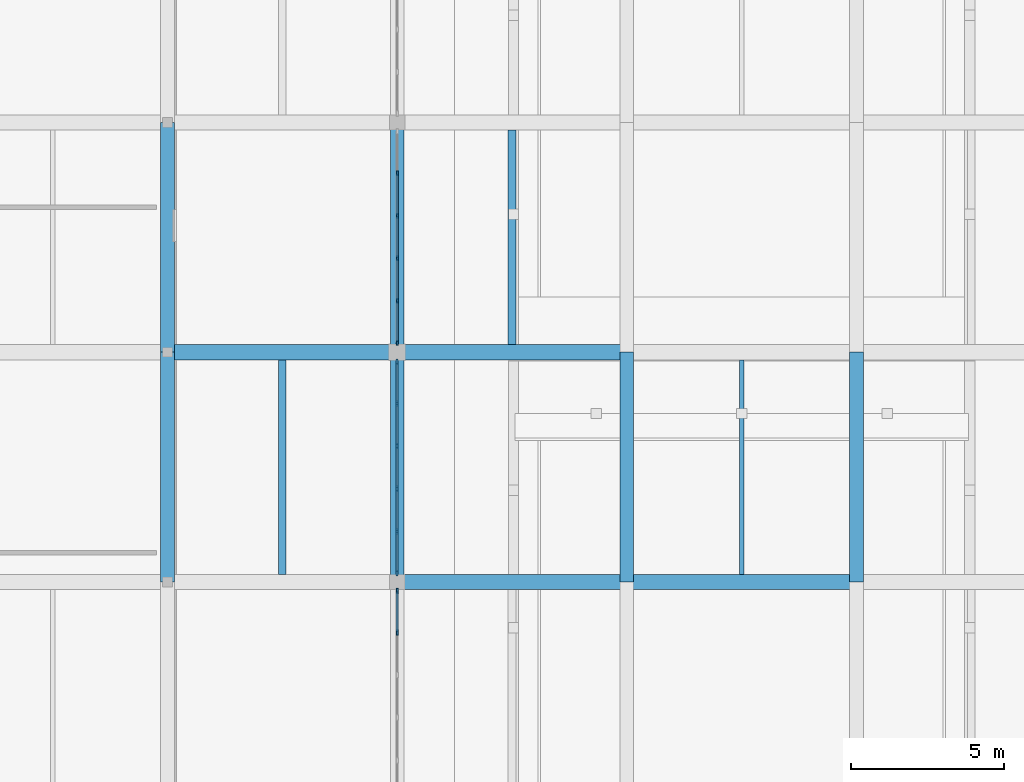
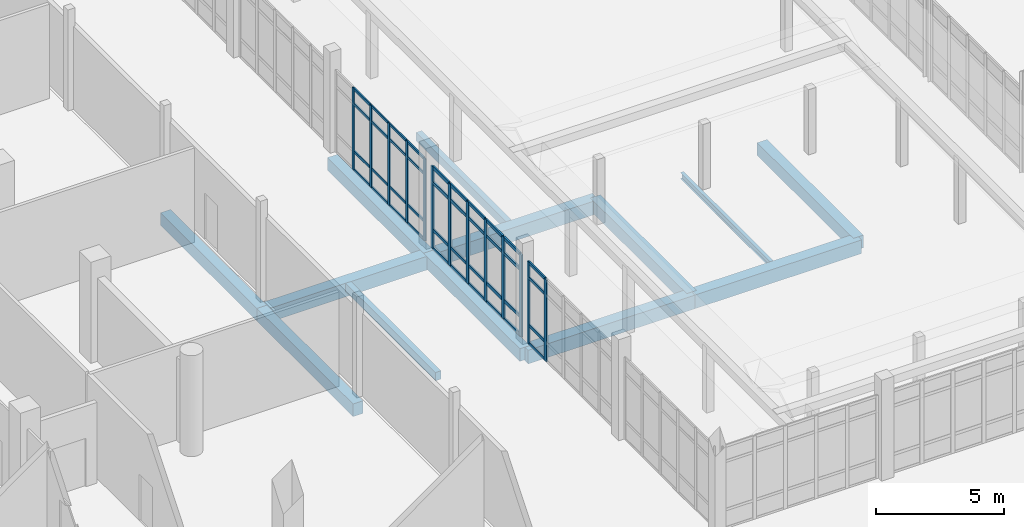
# One storey, part 27 of 125: 53 members, 13 beams, 3 elements without a shape of their own.
"""IFC4 building model written with IfcOpenShell, lengths in metres."""

from ifc_helpers import new_model, si_unit, direction, frame, origin, origin_2d, place, context, subcontext, project, spatial, rectangle, i_section, extrude, material, layer, layer_set, material_profile, profile_set, type_object, element, aggregate, save


model = new_model("IFC4")

# Units and contexts
model_context = context("Model", 3, precision=1e-05, world=origin(), true_north=direction((0.0, 1.0)))
body_context = subcontext(model_context, "Body", "Model", "MODEL_VIEW")
ifc_project = project(units=[si_unit("LENGTHUNIT", "METRE"), si_unit("AREAUNIT", "SQUARE_METRE"), si_unit("VOLUMEUNIT", "CUBIC_METRE"), si_unit("PLANEANGLEUNIT", "RADIAN"), si_unit("MASSUNIT", "GRAM", prefix="KILO")], contexts=[model_context])

# Site, building, storey
site_placement = place(None, origin())
site = spatial("IfcSite", under=ifc_project, at=site_placement, CompositionType="ELEMENT")
building_placement = place(site_placement, origin())
building = spatial("IfcBuilding", under=site, at=building_placement, Name="Dalvernix Boulevard General Hospital", CompositionType="ELEMENT")
storey_placement = place(building_placement, origin())
storey = spatial("IfcBuildingStorey", under=building, at=storey_placement, Name="L00", CompositionType="ELEMENT", Elevation=0.0)

# Beams
ifc_material_1 = material(Name="Concrete C35/45", Category="concrete")
ifc_material_profile_1 = material_profile(ifc_material_1, rectangle(XDim=0.5, YDim=0.64990234375, at=origin_2d()), Name="RCB 500x650")
ifc_profile_set_1 = profile_set([ifc_material_profile_1], Name="Concrete C35/45")
beam_type_1 = type_object("IfcBeamType", Name="BM-B-02-I", PredefinedType="BEAM", material=ifc_profile_set_1)
for number, where, z_axis, x_axis, name in (
    (1, (37.5, 46.5, -0.68505859375), (1.0, 0.0, 0.0), (0.0, 1.0, 0.0), "L00 E-W girder G:6-7"),
    (2, (45.0, 46.5, -0.68505859375), (1.0, 0.0, 0.0), (0.0, 1.0, 0.0), "L00 E-W girder G:7-8"),
    (3, (30.0, 54.0, -0.68505859375), (1.0, 0.0, 0.0), (0.0, 1.0, 0.0), "L00 E-W girder H:5-6"),
    (4, (37.5, 54.0, -0.68505859375), (1.0, 0.0, 0.0), (0.0, 1.0, 0.0), "L00 E-W girder H:6-7"),
):
    element("IfcBeam", number, at=place(storey_placement, frame(where, z_axis=z_axis, x_axis=x_axis)), inside=storey, type_object=beam_type_1, Name=name, PredefinedType="BEAM", context=body_context, shape_type="SweptSolid", body=[
        extrude(rectangle(XDim=0.5, YDim=0.64990234375, at=origin_2d()), origin(), (0.0, 0.0, 1.0), 7.5),
    ])
ifc_material_profile_2 = material_profile(ifc_material_1, rectangle(XDim=0.449951171875, YDim=0.60009765625, at=origin_2d()), Name="RCB 450x600")
ifc_profile_set_2 = profile_set([ifc_material_profile_2], Name="Concrete C35/45")
beam_type_2 = type_object("IfcBeamType", Name="BM-B-04-I", PredefinedType="BEAM", material=ifc_profile_set_2)
for number, where, z_axis, x_axis, name in (
    (5, (30.0, 46.5, -0.659912109375), (0.0, 1.0, 0.0), (-1.0, 0.0, 0.0), "L00 N-S girder 5:G-H"),
    (6, (30.0, 54.0, -0.659912109375), (0.0, 1.0, 0.0), (-1.0, 0.0, 0.0), "L00 N-S girder 5:H-J"),
    (7, (37.5, 46.5, -0.659912109375), (0.0, 1.0, 0.0), (-1.0, 0.0, 0.0), "L00 N-S girder 6:G-H"),
    (8, (37.5, 54.0, -0.659912109375), (0.0, 1.0, 0.0), (-1.0, 0.0, 0.0), "L00 N-S girder 6:H-J"),
    (9, (45.0, 46.5, -0.659912109375), (0.0, 1.0, 0.0), (-1.0, 0.0, 0.0), "L00 N-S girder 7:G-H"),
    (10, (52.5, 46.5, -0.659912109375), (0.0, 1.0, 0.0), (-1.0, 0.0, 0.0), "L00 N-S girder 8:G-H"),
):
    element("IfcBeam", number, at=place(storey_placement, frame(where, z_axis=z_axis, x_axis=x_axis)), inside=storey, type_object=beam_type_2, Name=name, PredefinedType="BEAM", context=body_context, shape_type="SweptSolid", body=[
        extrude(rectangle(XDim=0.449951171875, YDim=0.60009765625, at=origin_2d()), origin(), (0.0, 0.0, 1.0), 7.5),
    ])
ifc_material_profile_3 = material_profile(ifc_material_1, rectangle(XDim=0.25, YDim=0.39990234375, at=origin_2d()), Name="RCB 250x400")
ifc_profile_set_3 = profile_set([ifc_material_profile_3], Name="Concrete C35/45")
beam_type_3 = type_object("IfcBeamType", Name="BM-JB-02", PredefinedType="JOIST", material=ifc_profile_set_3)
for number, where, z_axis, x_axis, name in (
    (11, (33.75, 46.75, -0.56005859375), (0.0, 1.0, 0.0), (-1.0, 0.0, 0.0), "L00 secondary floor beam 5-G"),
    (12, (41.25, 54.25, -0.56005859375), (0.0, 1.0, 0.0), (-1.0, 0.0, 0.0), "L00 secondary floor beam 6-H"),
):
    element("IfcBeam", number, at=place(storey_placement, frame(where, z_axis=z_axis, x_axis=x_axis)), inside=storey, type_object=beam_type_3, Name=name, PredefinedType="JOIST", context=body_context, shape_type="SweptSolid", body=[
        extrude(rectangle(XDim=0.25, YDim=0.39990234375, at=origin_2d()), origin(), (0.0, 0.0, 1.0), 7.0),
    ])
ifc_material_2 = material(Name="Steel S355", Category="steel")
ifc_material_profile_4 = material_profile(ifc_material_2, i_section(OverallWidth=0.14990234375, OverallDepth=0.300048828125, WebThickness=0.007080078125, FlangeThickness=0.0107421875, FilletRadius=0.014892578125, at=origin_2d()), Name="IPE 300")
ifc_profile_set_4 = profile_set([ifc_material_profile_4], Name="Steel S355")
beam_type_4 = type_object("IfcBeamType", Name="BM-JB-03", PredefinedType="JOIST", material=ifc_profile_set_4)
beam_placement = place(storey_placement, frame((48.75, 46.75, -0.510009765625), z_axis=(0.0, 1.0, 0.0), x_axis=(-1.0, 0.0, 0.0)))
element("IfcBeam", 13, at=beam_placement, inside=storey, type_object=beam_type_4, Name="L00 secondary floor beam 7-G", PredefinedType="JOIST", context=body_context, shape_type="SweptSolid", body=[
    extrude(i_section(OverallWidth=0.14990234375, OverallDepth=0.300048828125, WebThickness=0.007080078125, FlangeThickness=0.0107421875, FilletRadius=0.014892578125, at=origin_2d()), origin(), (0.0, 0.0, 1.0), 7.0),
])

# Curtain wall, members
ifc_material_3 = material(Name="Thermally broken aluminium and solar-control glass curtain wall", Category="aluminium")
ifc_layer_1 = layer(ifc_material_3, 0.159912109375)
ifc_layer_set_1 = layer_set([ifc_layer_1], Name="Thermally broken aluminium and solar-control glass curtain wall (CW-CW-A-70x39)")
curtain_wall_type_1 = type_object("IfcCurtainWallType", Name="CW-CW-A-70x39", PredefinedType="USERDEFINED", material=ifc_layer_set_1)
curtain_wall_1_placement = place(storey_placement, origin())
curtain_wall_1 = element("IfcCurtainWall", 14, at=curtain_wall_1_placement, inside=storey, type_object=curtain_wall_type_1, Name="L00 curtain wall CW-A-70x39 5-7", ObjectType="GLAZED FACADE", PredefinedType="USERDEFINED")
ifc_material_4 = material(Name="Aluminium EN AW-6060", Category="aluminium")
ifc_material_profile_5 = material_profile(ifc_material_4, rectangle(XDim=0.06005859375, YDim=0.159912109375, at=origin_2d()), Name="ALU MULL 60x160")
ifc_profile_set_5 = profile_set([ifc_material_profile_5], Name="Aluminium EN AW-6060")
member_type_1 = type_object("IfcMemberType", Name="MEM-CW-M1", PredefinedType="MULLION", material=ifc_profile_set_5)
member_1_placement = place(storey_placement, frame((37.5, 59.84912109375, 0.0), z_axis=(0.0, 0.0, 1.0), x_axis=(1.0, 0.0, 0.0)))
member_1 = element("IfcMember", 15, at=member_1_placement, type_object=member_type_1, Name="CW-A-70x39 mullion 2", PredefinedType="MULLION", context=body_context, shape_type="SweptSolid", body=[
    extrude(rectangle(XDim=0.06005859375, YDim=0.159912109375, at=origin_2d()), origin(), (0.0, 0.0, 1.0), 3.89990234375),
])
member_2_placement = place(storey_placement, frame((37.5, 58.4580078125, 0.0), z_axis=(0.0, 0.0, 1.0), x_axis=(1.0, 0.0, 0.0)))
member_2 = element("IfcMember", 16, at=member_2_placement, type_object=member_type_1, Name="CW-A-70x39 mullion 3", PredefinedType="MULLION", context=body_context, shape_type="SweptSolid", body=[
    extrude(rectangle(XDim=0.06005859375, YDim=0.159912109375, at=origin_2d()), origin(), (0.0, 0.0, 1.0), 3.89990234375),
])
member_3_placement = place(storey_placement, frame((37.5, 57.06689453125, 0.0), z_axis=(0.0, 0.0, 1.0), x_axis=(1.0, 0.0, 0.0)))
member_3 = element("IfcMember", 17, at=member_3_placement, type_object=member_type_1, Name="CW-A-70x39 mullion 4", PredefinedType="MULLION", context=body_context, shape_type="SweptSolid", body=[
    extrude(rectangle(XDim=0.06005859375, YDim=0.159912109375, at=origin_2d()), origin(), (0.0, 0.0, 1.0), 3.89990234375),
])
member_4_placement = place(storey_placement, frame((37.5, 55.676025390625, 0.0), z_axis=(0.0, 0.0, 1.0), x_axis=(1.0, 0.0, 0.0)))
member_4 = element("IfcMember", 18, at=member_4_placement, type_object=member_type_1, Name="CW-A-70x39 mullion 5", PredefinedType="MULLION", context=body_context, shape_type="SweptSolid", body=[
    extrude(rectangle(XDim=0.06005859375, YDim=0.159912109375, at=origin_2d()), origin(), (0.0, 0.0, 1.0), 3.89990234375),
])
member_5_placement = place(storey_placement, frame((37.5, 54.31494140625, 0.0), z_axis=(0.0, 0.0, 1.0), x_axis=(1.0, 0.0, 0.0)))
member_5 = element("IfcMember", 19, at=member_5_placement, type_object=member_type_1, Name="CW-A-70x39 mullion 6", PredefinedType="MULLION", context=body_context, shape_type="SweptSolid", body=[
    extrude(rectangle(XDim=0.06005859375, YDim=0.159912109375, at=origin_2d()), origin(), (0.0, 0.0, 1.0), 3.89990234375),
])

ifc_layer_2 = layer(ifc_material_3, 0.179931640625)
ifc_layer_set_2 = layer_set([ifc_layer_2], Name="Thermally broken aluminium and solar-control glass curtain wall (CW-CW-B-70x39)")
curtain_wall_type_2 = type_object("IfcCurtainWallType", Name="CW-CW-B-70x39", PredefinedType="USERDEFINED", material=ifc_layer_set_2)
curtain_wall_2_placement = place(storey_placement, origin())
curtain_wall_2 = element("IfcCurtainWall", 20, at=curtain_wall_2_placement, inside=storey, type_object=curtain_wall_type_2, Name="L00 curtain wall CW-B-70x39 5-5", ObjectType="GLAZED FACADE", PredefinedType="USERDEFINED")
ifc_material_profile_6 = material_profile(ifc_material_4, rectangle(XDim=0.06494140625, YDim=0.179931640625, at=origin_2d()), Name="ALU MULL 65x180")
ifc_profile_set_6 = profile_set([ifc_material_profile_6], Name="Aluminium EN AW-6060")
member_type_2 = type_object("IfcMemberType", Name="MEM-CW-M2", PredefinedType="MULLION", material=ifc_profile_set_6)
member_6_placement = place(storey_placement, frame((37.5, 46.20751953125, 0.0), z_axis=(0.0, 0.0, 1.0), x_axis=(1.0, 0.0, 0.0)))
member_6 = element("IfcMember", 21, at=member_6_placement, type_object=member_type_2, Name="CW-B-70x39 mullion 1", PredefinedType="MULLION", context=body_context, shape_type="SweptSolid", body=[
    extrude(rectangle(XDim=0.06494140625, YDim=0.179931640625, at=origin_2d()), origin(), (0.0, 0.0, 1.0), 3.89990234375),
])
member_7_placement = place(storey_placement, frame((37.5, 44.84912109375, 0.0), z_axis=(0.0, 0.0, 1.0), x_axis=(1.0, 0.0, 0.0)))
member_7 = element("IfcMember", 22, at=member_7_placement, type_object=member_type_2, Name="CW-B-70x39 mullion 2", PredefinedType="MULLION", context=body_context, shape_type="SweptSolid", body=[
    extrude(rectangle(XDim=0.06494140625, YDim=0.179931640625, at=origin_2d()), origin(), (0.0, 0.0, 1.0), 3.89990234375),
])

ifc_layer_3 = layer(ifc_material_3, 0.199951171875)
ifc_layer_set_3 = layer_set([ifc_layer_3], Name="Thermally broken aluminium and solar-control glass curtain wall (CW-CW-C-70x39)")
curtain_wall_type_3 = type_object("IfcCurtainWallType", Name="CW-CW-C-70x39", PredefinedType="USERDEFINED", material=ifc_layer_set_3)
curtain_wall_3_placement = place(storey_placement, origin())
curtain_wall_3 = element("IfcCurtainWall", 23, at=curtain_wall_3_placement, inside=storey, type_object=curtain_wall_type_3, Name="L00 curtain wall CW-C-70x39 5-6", ObjectType="GLAZED FACADE", PredefinedType="USERDEFINED")
ifc_material_profile_7 = material_profile(ifc_material_4, rectangle(XDim=0.070068359375, YDim=0.199951171875, at=origin_2d()), Name="ALU MULL 70x200")
ifc_profile_set_7 = profile_set([ifc_material_profile_7], Name="Aluminium EN AW-6060")
member_type_3 = type_object("IfcMemberType", Name="MEM-CW-M3", PredefinedType="MULLION", material=ifc_profile_set_7)
member_8_placement = place(storey_placement, frame((37.5, 53.679931640625, 0.0), z_axis=(0.0, 0.0, 1.0), x_axis=(1.0, 0.0, 0.0)))
member_8 = element("IfcMember", 24, at=member_8_placement, type_object=member_type_3, Name="CW-C-70x39 mullion 1", PredefinedType="MULLION", context=body_context, shape_type="SweptSolid", body=[
    extrude(rectangle(XDim=0.070068359375, YDim=0.199951171875, at=origin_2d()), origin(), (0.0, 0.0, 1.0), 3.89990234375),
])
member_9_placement = place(storey_placement, frame((37.5, 52.323974609375, 0.0), z_axis=(0.0, 0.0, 1.0), x_axis=(1.0, 0.0, 0.0)))
member_9 = element("IfcMember", 25, at=member_9_placement, type_object=member_type_3, Name="CW-C-70x39 mullion 2", PredefinedType="MULLION", context=body_context, shape_type="SweptSolid", body=[
    extrude(rectangle(XDim=0.070068359375, YDim=0.199951171875, at=origin_2d()), origin(), (0.0, 0.0, 1.0), 3.89990234375),
])
member_10_placement = place(storey_placement, frame((37.5, 50.93310546875, 0.0), z_axis=(0.0, 0.0, 1.0), x_axis=(1.0, 0.0, 0.0)))
member_10 = element("IfcMember", 26, at=member_10_placement, type_object=member_type_3, Name="CW-C-70x39 mullion 3", PredefinedType="MULLION", context=body_context, shape_type="SweptSolid", body=[
    extrude(rectangle(XDim=0.070068359375, YDim=0.199951171875, at=origin_2d()), origin(), (0.0, 0.0, 1.0), 3.89990234375),
])
member_11_placement = place(storey_placement, frame((37.5, 49.5419921875, 0.0), z_axis=(0.0, 0.0, 1.0), x_axis=(1.0, 0.0, 0.0)))
member_11 = element("IfcMember", 27, at=member_11_placement, type_object=member_type_3, Name="CW-C-70x39 mullion 4", PredefinedType="MULLION", context=body_context, shape_type="SweptSolid", body=[
    extrude(rectangle(XDim=0.070068359375, YDim=0.199951171875, at=origin_2d()), origin(), (0.0, 0.0, 1.0), 3.89990234375),
])
member_12_placement = place(storey_placement, frame((37.5, 48.15087890625, 0.0), z_axis=(0.0, 0.0, 1.0), x_axis=(1.0, 0.0, 0.0)))
member_12 = element("IfcMember", 28, at=member_12_placement, type_object=member_type_3, Name="CW-C-70x39 mullion 5", PredefinedType="MULLION", context=body_context, shape_type="SweptSolid", body=[
    extrude(rectangle(XDim=0.070068359375, YDim=0.199951171875, at=origin_2d()), origin(), (0.0, 0.0, 1.0), 3.89990234375),
])
member_13_placement = place(storey_placement, frame((37.5, 46.794921875, 0.0), z_axis=(0.0, 0.0, 1.0), x_axis=(1.0, 0.0, 0.0)))
member_13 = element("IfcMember", 29, at=member_13_placement, type_object=member_type_3, Name="CW-C-70x39 mullion 6", PredefinedType="MULLION", context=body_context, shape_type="SweptSolid", body=[
    extrude(rectangle(XDim=0.070068359375, YDim=0.199951171875, at=origin_2d()), origin(), (0.0, 0.0, 1.0), 3.89990234375),
])

# Member
ifc_material_profile_8 = material_profile(ifc_material_4, rectangle(XDim=0.06005859375, YDim=0.1201171875, at=origin_2d()), Name="ALU TRAN 60x120")
ifc_profile_set_8 = profile_set([ifc_material_profile_8], Name="Aluminium EN AW-6060")
member_type_4 = type_object("IfcMemberType", Name="MEM-CW-T1", PredefinedType="USERDEFINED", material=ifc_profile_set_8)
member_14_placement = place(storey_placement, frame((37.5, 59.819091796875, 0.030029296875), z_axis=(0.0, -1.0, 0.0), x_axis=(1.0, 0.0, 0.0)))
member_14 = element("IfcMember", 30, at=member_14_placement, type_object=member_type_4, Name="CW-A-70x39 transom 2.1", ObjectType="TRANSOM", PredefinedType="USERDEFINED", context=body_context, shape_type="SweptSolid", body=[
    extrude(rectangle(XDim=0.06005859375, YDim=0.1201171875, at=origin_2d()), origin(), (0.0, 0.0, 1.0), 1.3310546875),
])

member_15_placement = place(storey_placement, frame((37.5, 59.819091796875, 0.89990234375), z_axis=(0.0, -1.0, 0.0), x_axis=(1.0, 0.0, 0.0)))
member_15 = element("IfcMember", 31, at=member_15_placement, type_object=member_type_4, Name="CW-A-70x39 transom 2.2", ObjectType="TRANSOM", PredefinedType="USERDEFINED", context=body_context, shape_type="SweptSolid", body=[
    extrude(rectangle(XDim=0.06005859375, YDim=0.1201171875, at=origin_2d()), origin(), (0.0, 0.0, 1.0), 1.3310546875),
])

member_16_placement = place(storey_placement, frame((37.5, 59.819091796875, 3.14990234375), z_axis=(0.0, -1.0, 0.0), x_axis=(1.0, 0.0, 0.0)))
member_16 = element("IfcMember", 32, at=member_16_placement, type_object=member_type_4, Name="CW-A-70x39 transom 2.3", ObjectType="TRANSOM", PredefinedType="USERDEFINED", context=body_context, shape_type="SweptSolid", body=[
    extrude(rectangle(XDim=0.06005859375, YDim=0.1201171875, at=origin_2d()), origin(), (0.0, 0.0, 1.0), 1.3310546875),
])

member_17_placement = place(storey_placement, frame((37.5, 59.819091796875, 3.8701171875), z_axis=(0.0, -1.0, 0.0), x_axis=(1.0, 0.0, 0.0)))
member_17 = element("IfcMember", 33, at=member_17_placement, type_object=member_type_4, Name="CW-A-70x39 transom 2.4", ObjectType="TRANSOM", PredefinedType="USERDEFINED", context=body_context, shape_type="SweptSolid", body=[
    extrude(rectangle(XDim=0.06005859375, YDim=0.1201171875, at=origin_2d()), origin(), (0.0, 0.0, 1.0), 1.3310546875),
])

member_18_placement = place(storey_placement, frame((37.5, 58.427978515625, 0.030029296875), z_axis=(0.0, -1.0, 0.0), x_axis=(1.0, 0.0, 0.0)))
member_18 = element("IfcMember", 34, at=member_18_placement, type_object=member_type_4, Name="CW-A-70x39 transom 3.1", ObjectType="TRANSOM", PredefinedType="USERDEFINED", context=body_context, shape_type="SweptSolid", body=[
    extrude(rectangle(XDim=0.06005859375, YDim=0.1201171875, at=origin_2d()), origin(), (0.0, 0.0, 1.0), 1.3310546875),
])

member_19_placement = place(storey_placement, frame((37.5, 58.427978515625, 0.89990234375), z_axis=(0.0, -1.0, 0.0), x_axis=(1.0, 0.0, 0.0)))
member_19 = element("IfcMember", 35, at=member_19_placement, type_object=member_type_4, Name="CW-A-70x39 transom 3.2", ObjectType="TRANSOM", PredefinedType="USERDEFINED", context=body_context, shape_type="SweptSolid", body=[
    extrude(rectangle(XDim=0.06005859375, YDim=0.1201171875, at=origin_2d()), origin(), (0.0, 0.0, 1.0), 1.3310546875),
])

member_20_placement = place(storey_placement, frame((37.5, 58.427978515625, 3.14990234375), z_axis=(0.0, -1.0, 0.0), x_axis=(1.0, 0.0, 0.0)))
member_20 = element("IfcMember", 36, at=member_20_placement, type_object=member_type_4, Name="CW-A-70x39 transom 3.3", ObjectType="TRANSOM", PredefinedType="USERDEFINED", context=body_context, shape_type="SweptSolid", body=[
    extrude(rectangle(XDim=0.06005859375, YDim=0.1201171875, at=origin_2d()), origin(), (0.0, 0.0, 1.0), 1.3310546875),
])

member_21_placement = place(storey_placement, frame((37.5, 58.427978515625, 3.8701171875), z_axis=(0.0, -1.0, 0.0), x_axis=(1.0, 0.0, 0.0)))
member_21 = element("IfcMember", 37, at=member_21_placement, type_object=member_type_4, Name="CW-A-70x39 transom 3.4", ObjectType="TRANSOM", PredefinedType="USERDEFINED", context=body_context, shape_type="SweptSolid", body=[
    extrude(rectangle(XDim=0.06005859375, YDim=0.1201171875, at=origin_2d()), origin(), (0.0, 0.0, 1.0), 1.3310546875),
])

member_22_placement = place(storey_placement, frame((37.5, 57.037109375, 0.030029296875), z_axis=(0.0, -1.0, 0.0), x_axis=(1.0, 0.0, 0.0)))
member_22 = element("IfcMember", 38, at=member_22_placement, type_object=member_type_4, Name="CW-A-70x39 transom 4.1", ObjectType="TRANSOM", PredefinedType="USERDEFINED", context=body_context, shape_type="SweptSolid", body=[
    extrude(rectangle(XDim=0.06005859375, YDim=0.1201171875, at=origin_2d()), origin(), (0.0, 0.0, 1.0), 1.3310546875),
])

member_23_placement = place(storey_placement, frame((37.5, 57.037109375, 0.89990234375), z_axis=(0.0, -1.0, 0.0), x_axis=(1.0, 0.0, 0.0)))
member_23 = element("IfcMember", 39, at=member_23_placement, type_object=member_type_4, Name="CW-A-70x39 transom 4.2", ObjectType="TRANSOM", PredefinedType="USERDEFINED", context=body_context, shape_type="SweptSolid", body=[
    extrude(rectangle(XDim=0.06005859375, YDim=0.1201171875, at=origin_2d()), origin(), (0.0, 0.0, 1.0), 1.3310546875),
])

member_24_placement = place(storey_placement, frame((37.5, 57.037109375, 3.14990234375), z_axis=(0.0, -1.0, 0.0), x_axis=(1.0, 0.0, 0.0)))
member_24 = element("IfcMember", 40, at=member_24_placement, type_object=member_type_4, Name="CW-A-70x39 transom 4.3", ObjectType="TRANSOM", PredefinedType="USERDEFINED", context=body_context, shape_type="SweptSolid", body=[
    extrude(rectangle(XDim=0.06005859375, YDim=0.1201171875, at=origin_2d()), origin(), (0.0, 0.0, 1.0), 1.3310546875),
])

member_25_placement = place(storey_placement, frame((37.5, 57.037109375, 3.8701171875), z_axis=(0.0, -1.0, 0.0), x_axis=(1.0, 0.0, 0.0)))
member_25 = element("IfcMember", 41, at=member_25_placement, type_object=member_type_4, Name="CW-A-70x39 transom 4.4", ObjectType="TRANSOM", PredefinedType="USERDEFINED", context=body_context, shape_type="SweptSolid", body=[
    extrude(rectangle(XDim=0.06005859375, YDim=0.1201171875, at=origin_2d()), origin(), (0.0, 0.0, 1.0), 1.3310546875),
])

member_26_placement = place(storey_placement, frame((37.5, 55.64599609375, 0.030029296875), z_axis=(0.0, -1.0, 0.0), x_axis=(1.0, 0.0, 0.0)))
member_26 = element("IfcMember", 42, at=member_26_placement, type_object=member_type_4, Name="CW-A-70x39 transom 5.1", ObjectType="TRANSOM", PredefinedType="USERDEFINED", context=body_context, shape_type="SweptSolid", body=[
    extrude(rectangle(XDim=0.06005859375, YDim=0.1201171875, at=origin_2d()), origin(), (0.0, 0.0, 1.0), 1.301025390625),
])

member_27_placement = place(storey_placement, frame((37.5, 55.64599609375, 0.89990234375), z_axis=(0.0, -1.0, 0.0), x_axis=(1.0, 0.0, 0.0)))
member_27 = element("IfcMember", 43, at=member_27_placement, type_object=member_type_4, Name="CW-A-70x39 transom 5.2", ObjectType="TRANSOM", PredefinedType="USERDEFINED", context=body_context, shape_type="SweptSolid", body=[
    extrude(rectangle(XDim=0.06005859375, YDim=0.1201171875, at=origin_2d()), origin(), (0.0, 0.0, 1.0), 1.301025390625),
])

member_28_placement = place(storey_placement, frame((37.5, 55.64599609375, 3.14990234375), z_axis=(0.0, -1.0, 0.0), x_axis=(1.0, 0.0, 0.0)))
member_28 = element("IfcMember", 44, at=member_28_placement, type_object=member_type_4, Name="CW-A-70x39 transom 5.3", ObjectType="TRANSOM", PredefinedType="USERDEFINED", context=body_context, shape_type="SweptSolid", body=[
    extrude(rectangle(XDim=0.06005859375, YDim=0.1201171875, at=origin_2d()), origin(), (0.0, 0.0, 1.0), 1.301025390625),
])

member_29_placement = place(storey_placement, frame((37.5, 55.64599609375, 3.8701171875), z_axis=(0.0, -1.0, 0.0), x_axis=(1.0, 0.0, 0.0)))
member_29 = element("IfcMember", 45, at=member_29_placement, type_object=member_type_4, Name="CW-A-70x39 transom 5.4", ObjectType="TRANSOM", PredefinedType="USERDEFINED", context=body_context, shape_type="SweptSolid", body=[
    extrude(rectangle(XDim=0.06005859375, YDim=0.1201171875, at=origin_2d()), origin(), (0.0, 0.0, 1.0), 1.301025390625),
])

aggregate(curtain_wall_1, [member_1, member_2, member_3, member_4, member_5, member_14, member_15, member_16, member_17, member_18, member_19, member_20, member_21, member_22, member_23, member_24, member_25, member_26, member_27, member_28, member_29])

ifc_material_profile_9 = material_profile(ifc_material_4, rectangle(XDim=0.06494140625, YDim=0.139892578125, at=origin_2d()), Name="ALU TRAN 65x140")
ifc_profile_set_9 = profile_set([ifc_material_profile_9], Name="Aluminium EN AW-6060")
member_type_5 = type_object("IfcMemberType", Name="MEM-CW-T2", PredefinedType="USERDEFINED", material=ifc_profile_set_9)
member_30_placement = place(storey_placement, frame((37.5, 46.175048828125, 0.032470703125), z_axis=(0.0, -1.0, 0.0), x_axis=(1.0, 0.0, 0.0)))
member_30 = element("IfcMember", 46, at=member_30_placement, type_object=member_type_5, Name="CW-B-70x39 transom 1.1", ObjectType="TRANSOM", PredefinedType="USERDEFINED", context=body_context, shape_type="SweptSolid", body=[
    extrude(rectangle(XDim=0.06494140625, YDim=0.139892578125, at=origin_2d()), origin(), (0.0, 0.0, 1.0), 1.29345703125),
])

member_31_placement = place(storey_placement, frame((37.5, 46.175048828125, 0.89990234375), z_axis=(0.0, -1.0, 0.0), x_axis=(1.0, 0.0, 0.0)))
member_31 = element("IfcMember", 47, at=member_31_placement, type_object=member_type_5, Name="CW-B-70x39 transom 1.2", ObjectType="TRANSOM", PredefinedType="USERDEFINED", context=body_context, shape_type="SweptSolid", body=[
    extrude(rectangle(XDim=0.06494140625, YDim=0.139892578125, at=origin_2d()), origin(), (0.0, 0.0, 1.0), 1.29345703125),
])

member_32_placement = place(storey_placement, frame((37.5, 46.175048828125, 3.14990234375), z_axis=(0.0, -1.0, 0.0), x_axis=(1.0, 0.0, 0.0)))
member_32 = element("IfcMember", 48, at=member_32_placement, type_object=member_type_5, Name="CW-B-70x39 transom 1.3", ObjectType="TRANSOM", PredefinedType="USERDEFINED", context=body_context, shape_type="SweptSolid", body=[
    extrude(rectangle(XDim=0.06494140625, YDim=0.139892578125, at=origin_2d()), origin(), (0.0, 0.0, 1.0), 1.29345703125),
])

member_33_placement = place(storey_placement, frame((37.5, 46.175048828125, 3.867431640625), z_axis=(0.0, -1.0, 0.0), x_axis=(1.0, 0.0, 0.0)))
member_33 = element("IfcMember", 49, at=member_33_placement, type_object=member_type_5, Name="CW-B-70x39 transom 1.4", ObjectType="TRANSOM", PredefinedType="USERDEFINED", context=body_context, shape_type="SweptSolid", body=[
    extrude(rectangle(XDim=0.06494140625, YDim=0.139892578125, at=origin_2d()), origin(), (0.0, 0.0, 1.0), 1.29345703125),
])

aggregate(curtain_wall_2, [member_6, member_7, member_30, member_31, member_32, member_33])

ifc_material_profile_10 = material_profile(ifc_material_4, rectangle(XDim=0.070068359375, YDim=0.14990234375, at=origin_2d()), Name="ALU TRAN 70x150")
ifc_profile_set_10 = profile_set([ifc_material_profile_10], Name="Aluminium EN AW-6060")
member_type_6 = type_object("IfcMemberType", Name="MEM-CW-T3", PredefinedType="USERDEFINED", material=ifc_profile_set_10)
member_34_placement = place(storey_placement, frame((37.5, 53.64501953125, 0.034912109375), z_axis=(0.0, -1.0, 0.0), x_axis=(1.0, 0.0, 0.0)))
member_34 = element("IfcMember", 50, at=member_34_placement, type_object=member_type_6, Name="CW-C-70x39 transom 1.1", ObjectType="TRANSOM", PredefinedType="USERDEFINED", context=body_context, shape_type="SweptSolid", body=[
    extrude(rectangle(XDim=0.070068359375, YDim=0.14990234375, at=origin_2d()), origin(), (0.0, 0.0, 1.0), 1.2861328125),
])

member_35_placement = place(storey_placement, frame((37.5, 53.64501953125, 0.89990234375), z_axis=(0.0, -1.0, 0.0), x_axis=(1.0, 0.0, 0.0)))
member_35 = element("IfcMember", 51, at=member_35_placement, type_object=member_type_6, Name="CW-C-70x39 transom 1.2", ObjectType="TRANSOM", PredefinedType="USERDEFINED", context=body_context, shape_type="SweptSolid", body=[
    extrude(rectangle(XDim=0.070068359375, YDim=0.14990234375, at=origin_2d()), origin(), (0.0, 0.0, 1.0), 1.2861328125),
])

member_36_placement = place(storey_placement, frame((37.5, 53.64501953125, 3.14990234375), z_axis=(0.0, -1.0, 0.0), x_axis=(1.0, 0.0, 0.0)))
member_36 = element("IfcMember", 52, at=member_36_placement, type_object=member_type_6, Name="CW-C-70x39 transom 1.3", ObjectType="TRANSOM", PredefinedType="USERDEFINED", context=body_context, shape_type="SweptSolid", body=[
    extrude(rectangle(XDim=0.070068359375, YDim=0.14990234375, at=origin_2d()), origin(), (0.0, 0.0, 1.0), 1.2861328125),
])

member_37_placement = place(storey_placement, frame((37.5, 53.64501953125, 3.864990234375), z_axis=(0.0, -1.0, 0.0), x_axis=(1.0, 0.0, 0.0)))
member_37 = element("IfcMember", 53, at=member_37_placement, type_object=member_type_6, Name="CW-C-70x39 transom 1.4", ObjectType="TRANSOM", PredefinedType="USERDEFINED", context=body_context, shape_type="SweptSolid", body=[
    extrude(rectangle(XDim=0.070068359375, YDim=0.14990234375, at=origin_2d()), origin(), (0.0, 0.0, 1.0), 1.2861328125),
])

member_38_placement = place(storey_placement, frame((37.5, 52.2890625, 0.034912109375), z_axis=(0.0, -1.0, 0.0), x_axis=(1.0, 0.0, 0.0)))
member_38 = element("IfcMember", 54, at=member_38_placement, type_object=member_type_6, Name="CW-C-70x39 transom 2.1", ObjectType="TRANSOM", PredefinedType="USERDEFINED", context=body_context, shape_type="SweptSolid", body=[
    extrude(rectangle(XDim=0.070068359375, YDim=0.14990234375, at=origin_2d()), origin(), (0.0, 0.0, 1.0), 1.321044921875),
])

member_39_placement = place(storey_placement, frame((37.5, 52.2890625, 0.89990234375), z_axis=(0.0, -1.0, 0.0), x_axis=(1.0, 0.0, 0.0)))
member_39 = element("IfcMember", 55, at=member_39_placement, type_object=member_type_6, Name="CW-C-70x39 transom 2.2", ObjectType="TRANSOM", PredefinedType="USERDEFINED", context=body_context, shape_type="SweptSolid", body=[
    extrude(rectangle(XDim=0.070068359375, YDim=0.14990234375, at=origin_2d()), origin(), (0.0, 0.0, 1.0), 1.321044921875),
])

member_40_placement = place(storey_placement, frame((37.5, 52.2890625, 3.14990234375), z_axis=(0.0, -1.0, 0.0), x_axis=(1.0, 0.0, 0.0)))
member_40 = element("IfcMember", 56, at=member_40_placement, type_object=member_type_6, Name="CW-C-70x39 transom 2.3", ObjectType="TRANSOM", PredefinedType="USERDEFINED", context=body_context, shape_type="SweptSolid", body=[
    extrude(rectangle(XDim=0.070068359375, YDim=0.14990234375, at=origin_2d()), origin(), (0.0, 0.0, 1.0), 1.321044921875),
])

member_41_placement = place(storey_placement, frame((37.5, 52.2890625, 3.864990234375), z_axis=(0.0, -1.0, 0.0), x_axis=(1.0, 0.0, 0.0)))
member_41 = element("IfcMember", 57, at=member_41_placement, type_object=member_type_6, Name="CW-C-70x39 transom 2.4", ObjectType="TRANSOM", PredefinedType="USERDEFINED", context=body_context, shape_type="SweptSolid", body=[
    extrude(rectangle(XDim=0.070068359375, YDim=0.14990234375, at=origin_2d()), origin(), (0.0, 0.0, 1.0), 1.321044921875),
])

member_42_placement = place(storey_placement, frame((37.5, 50.89794921875, 0.034912109375), z_axis=(0.0, -1.0, 0.0), x_axis=(1.0, 0.0, 0.0)))
member_42 = element("IfcMember", 58, at=member_42_placement, type_object=member_type_6, Name="CW-C-70x39 transom 3.1", ObjectType="TRANSOM", PredefinedType="USERDEFINED", context=body_context, shape_type="SweptSolid", body=[
    extrude(rectangle(XDim=0.070068359375, YDim=0.14990234375, at=origin_2d()), origin(), (0.0, 0.0, 1.0), 1.321044921875),
])

member_43_placement = place(storey_placement, frame((37.5, 50.89794921875, 0.89990234375), z_axis=(0.0, -1.0, 0.0), x_axis=(1.0, 0.0, 0.0)))
member_43 = element("IfcMember", 59, at=member_43_placement, type_object=member_type_6, Name="CW-C-70x39 transom 3.2", ObjectType="TRANSOM", PredefinedType="USERDEFINED", context=body_context, shape_type="SweptSolid", body=[
    extrude(rectangle(XDim=0.070068359375, YDim=0.14990234375, at=origin_2d()), origin(), (0.0, 0.0, 1.0), 1.321044921875),
])

member_44_placement = place(storey_placement, frame((37.5, 50.89794921875, 3.14990234375), z_axis=(0.0, -1.0, 0.0), x_axis=(1.0, 0.0, 0.0)))
member_44 = element("IfcMember", 60, at=member_44_placement, type_object=member_type_6, Name="CW-C-70x39 transom 3.3", ObjectType="TRANSOM", PredefinedType="USERDEFINED", context=body_context, shape_type="SweptSolid", body=[
    extrude(rectangle(XDim=0.070068359375, YDim=0.14990234375, at=origin_2d()), origin(), (0.0, 0.0, 1.0), 1.321044921875),
])

member_45_placement = place(storey_placement, frame((37.5, 50.89794921875, 3.864990234375), z_axis=(0.0, -1.0, 0.0), x_axis=(1.0, 0.0, 0.0)))
member_45 = element("IfcMember", 61, at=member_45_placement, type_object=member_type_6, Name="CW-C-70x39 transom 3.4", ObjectType="TRANSOM", PredefinedType="USERDEFINED", context=body_context, shape_type="SweptSolid", body=[
    extrude(rectangle(XDim=0.070068359375, YDim=0.14990234375, at=origin_2d()), origin(), (0.0, 0.0, 1.0), 1.321044921875),
])

member_46_placement = place(storey_placement, frame((37.5, 49.507080078125, 0.034912109375), z_axis=(0.0, -1.0, 0.0), x_axis=(1.0, 0.0, 0.0)))
member_46 = element("IfcMember", 62, at=member_46_placement, type_object=member_type_6, Name="CW-C-70x39 transom 4.1", ObjectType="TRANSOM", PredefinedType="USERDEFINED", context=body_context, shape_type="SweptSolid", body=[
    extrude(rectangle(XDim=0.070068359375, YDim=0.14990234375, at=origin_2d()), origin(), (0.0, 0.0, 1.0), 1.321044921875),
])

member_47_placement = place(storey_placement, frame((37.5, 49.507080078125, 0.89990234375), z_axis=(0.0, -1.0, 0.0), x_axis=(1.0, 0.0, 0.0)))
member_47 = element("IfcMember", 63, at=member_47_placement, type_object=member_type_6, Name="CW-C-70x39 transom 4.2", ObjectType="TRANSOM", PredefinedType="USERDEFINED", context=body_context, shape_type="SweptSolid", body=[
    extrude(rectangle(XDim=0.070068359375, YDim=0.14990234375, at=origin_2d()), origin(), (0.0, 0.0, 1.0), 1.321044921875),
])

member_48_placement = place(storey_placement, frame((37.5, 49.507080078125, 3.14990234375), z_axis=(0.0, -1.0, 0.0), x_axis=(1.0, 0.0, 0.0)))
member_48 = element("IfcMember", 64, at=member_48_placement, type_object=member_type_6, Name="CW-C-70x39 transom 4.3", ObjectType="TRANSOM", PredefinedType="USERDEFINED", context=body_context, shape_type="SweptSolid", body=[
    extrude(rectangle(XDim=0.070068359375, YDim=0.14990234375, at=origin_2d()), origin(), (0.0, 0.0, 1.0), 1.321044921875),
])

member_49_placement = place(storey_placement, frame((37.5, 49.507080078125, 3.864990234375), z_axis=(0.0, -1.0, 0.0), x_axis=(1.0, 0.0, 0.0)))
member_49 = element("IfcMember", 65, at=member_49_placement, type_object=member_type_6, Name="CW-C-70x39 transom 4.4", ObjectType="TRANSOM", PredefinedType="USERDEFINED", context=body_context, shape_type="SweptSolid", body=[
    extrude(rectangle(XDim=0.070068359375, YDim=0.14990234375, at=origin_2d()), origin(), (0.0, 0.0, 1.0), 1.321044921875),
])

member_50_placement = place(storey_placement, frame((37.5, 48.115966796875, 0.034912109375), z_axis=(0.0, -1.0, 0.0), x_axis=(1.0, 0.0, 0.0)))
member_50 = element("IfcMember", 66, at=member_50_placement, type_object=member_type_6, Name="CW-C-70x39 transom 5.1", ObjectType="TRANSOM", PredefinedType="USERDEFINED", context=body_context, shape_type="SweptSolid", body=[
    extrude(rectangle(XDim=0.070068359375, YDim=0.14990234375, at=origin_2d()), origin(), (0.0, 0.0, 1.0), 1.285888671875),
])

member_51_placement = place(storey_placement, frame((37.5, 48.115966796875, 0.89990234375), z_axis=(0.0, -1.0, 0.0), x_axis=(1.0, 0.0, 0.0)))
member_51 = element("IfcMember", 67, at=member_51_placement, type_object=member_type_6, Name="CW-C-70x39 transom 5.2", ObjectType="TRANSOM", PredefinedType="USERDEFINED", context=body_context, shape_type="SweptSolid", body=[
    extrude(rectangle(XDim=0.070068359375, YDim=0.14990234375, at=origin_2d()), origin(), (0.0, 0.0, 1.0), 1.285888671875),
])

member_52_placement = place(storey_placement, frame((37.5, 48.115966796875, 3.14990234375), z_axis=(0.0, -1.0, 0.0), x_axis=(1.0, 0.0, 0.0)))
member_52 = element("IfcMember", 68, at=member_52_placement, type_object=member_type_6, Name="CW-C-70x39 transom 5.3", ObjectType="TRANSOM", PredefinedType="USERDEFINED", context=body_context, shape_type="SweptSolid", body=[
    extrude(rectangle(XDim=0.070068359375, YDim=0.14990234375, at=origin_2d()), origin(), (0.0, 0.0, 1.0), 1.285888671875),
])

member_53_placement = place(storey_placement, frame((37.5, 48.115966796875, 3.864990234375), z_axis=(0.0, -1.0, 0.0), x_axis=(1.0, 0.0, 0.0)))
member_53 = element("IfcMember", 69, at=member_53_placement, type_object=member_type_6, Name="CW-C-70x39 transom 5.4", ObjectType="TRANSOM", PredefinedType="USERDEFINED", context=body_context, shape_type="SweptSolid", body=[
    extrude(rectangle(XDim=0.070068359375, YDim=0.14990234375, at=origin_2d()), origin(), (0.0, 0.0, 1.0), 1.285888671875),
])

aggregate(curtain_wall_3, [member_8, member_9, member_10, member_11, member_12, member_13, member_34, member_35, member_36, member_37, member_38, member_39, member_40, member_41, member_42, member_43, member_44, member_45, member_46, member_47, member_48, member_49, member_50, member_51, member_52, member_53])

save(model, "model.ifc")
